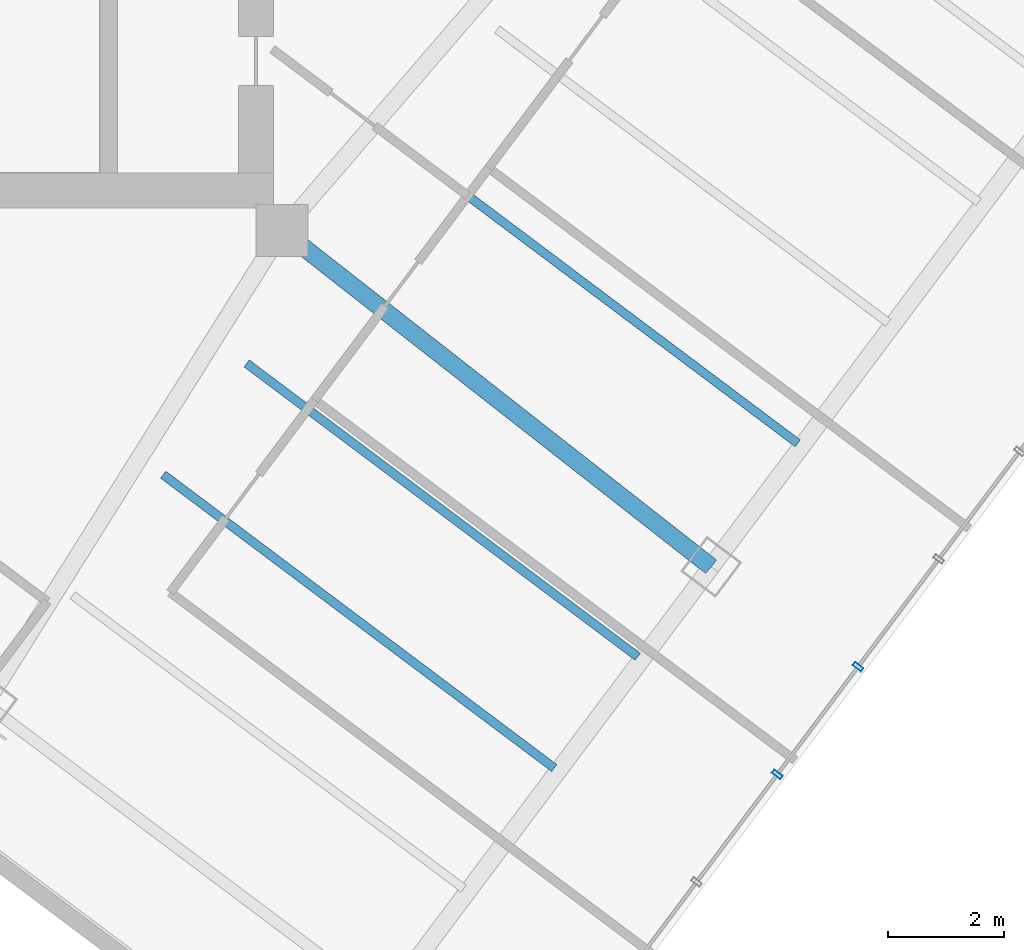
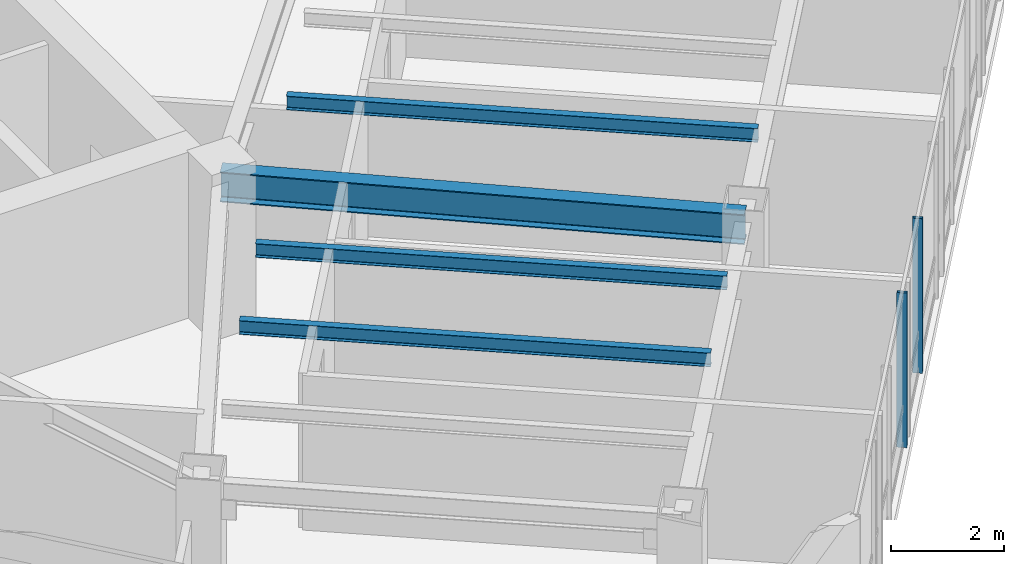
# One storey, part 11 of 27: 4 beams, 2 members, 1 element without a shape of its own.
"""IFC4 building model written with IfcOpenShell, lengths in metres."""

from ifc_helpers import new_model, si_unit, direction, frame, origin, origin_2d, place, context, subcontext, project, spatial, hollow_rectangle, i_section, extrude, material, layer, layer_set, material_profile, profile_set, type_object, element, aggregate, save


model = new_model("IFC4")

# Units and contexts
model_context = context("Model", 3, precision=1e-05, world=origin(), true_north=direction((0.0, 1.0)))
body_context = subcontext(model_context, "Body", "Model", "MODEL_VIEW")
ifc_project = project(units=[si_unit("LENGTHUNIT", "METRE"), si_unit("AREAUNIT", "SQUARE_METRE"), si_unit("VOLUMEUNIT", "CUBIC_METRE"), si_unit("PLANEANGLEUNIT", "RADIAN"), si_unit("MASSUNIT", "GRAM", prefix="KILO")], contexts=[model_context])

# Site, building, storey
site_placement = place(None, origin())
site = spatial("IfcSite", under=ifc_project, at=site_placement, CompositionType="ELEMENT")
building_placement = place(site_placement, origin())
building = spatial("IfcBuilding", under=site, at=building_placement, Name="Hatsunagi Terrace Concourse", CompositionType="ELEMENT")
storey_placement = place(building_placement, frame((0.0, 0.0, 163.64990234375)))
storey = spatial("IfcBuildingStorey", under=building, at=storey_placement, Name="L43", CompositionType="ELEMENT", Elevation=163.64990234375)

# Curtain wall, members
ifc_material_1 = material(Name="Anodised Aluminium Alloy 6063-T5", Category="aluminium")
ifc_layer = layer(ifc_material_1, 0.199951171875)
ifc_layer_set = layer_set([ifc_layer], Name="OfficeZone1_CW03")
curtain_wall_type = type_object("IfcCurtainWallType", Name="OfficeZone1_CW03", PredefinedType="NOTDEFINED", material=ifc_layer_set)
curtain_wall_placement = place(storey_placement, origin())
curtain_wall = element("IfcCurtainWall", 1, at=curtain_wall_placement, inside=storey, type_object=curtain_wall_type, Name="Unitised Curtain Wall CW-03 CW-L43-03", PredefinedType="NOTDEFINED")
ifc_material_2 = material(Name="Anodised Aluminium Alloy 6063-T5", Category="aluminium")
ifc_material_profile_1 = material_profile(ifc_material_2, hollow_rectangle(XDim=0.070068359375, YDim=0.179931640625, WallThickness=0.00390625, at=origin_2d()), Name="ALU-MUL-180x70x4")
ifc_profile_set_1 = profile_set([ifc_material_profile_1], Name="Anodised Aluminium Alloy 6063-T5")
member_type = type_object("IfcMemberType", Name="CurtainWallMullion_180x70", PredefinedType="MULLION", material=ifc_profile_set_1)
member_1_placement = place(storey_placement, frame((53.73193359375, 16.676025390625, 0.0), z_axis=(0.0, 0.0, 1.0), x_axis=(-0.599969314634, -0.800023013105, 0.0)))
member_1 = element("IfcMember", 2, at=member_1_placement, type_object=member_type, Name="Curtain Wall Mullion MUL-02", PredefinedType="MULLION", context=body_context, shape_type="SweptSolid", body=[
    extrude(hollow_rectangle(XDim=0.070068359375, YDim=0.179931640625, WallThickness=0.00390625, at=origin_2d()), origin(), (0.0, 0.0, 1.0), 3.35009765625),
])
member_2_placement = place(storey_placement, frame((52.340087890625, 14.819091796875, 0.0), z_axis=(0.0, 0.0, 1.0), x_axis=(-0.599969314634, -0.800023013105, 0.0)))
member_2 = element("IfcMember", 3, at=member_2_placement, type_object=member_type, Name="Curtain Wall Mullion MUL-02", PredefinedType="MULLION", context=body_context, shape_type="SweptSolid", body=[
    extrude(hollow_rectangle(XDim=0.070068359375, YDim=0.179931640625, WallThickness=0.00390625, at=origin_2d()), origin(), (0.0, 0.0, 1.0), 3.35009765625),
])
aggregate(curtain_wall, [member_1, member_2])

# Beams
ifc_material_3 = material(Name="Steel SN490B", Category="steel")
ifc_material_profile_2 = material_profile(ifc_material_3, i_section(OverallWidth=0.14990234375, OverallDepth=0.300048828125, WebThickness=0.006591796875, FlangeThickness=0.009033203125, FilletRadius=0.010986328125, at=origin_2d()), Name="H-300x150x6.5x9")
ifc_profile_set_2 = profile_set([ifc_material_profile_2], Name="Steel SN490B")
beam_type_1 = type_object("IfcBeamType", Name="OfficeJoist_H_300x150", PredefinedType="JOIST", material=ifc_profile_set_2)
for number, where, z_axis, x_axis, name in (
    (4, (41.748046875, 19.989013671875, 3.2001953125), (0.799989573921, -0.600013901187, 0.0), (0.600013901187, 0.799989573921, 0.0), "Beam J-03 J-L43-SE-2-72"),
    (5, (43.18798828125, 21.908935546875, 3.2001953125), (0.800003475366, -0.59999536615, 0.0), (0.59999536615, 0.800003475366, 0.0), "Beam J-03 J-L43-SE-2-96"),
    (6, (45.947998046875, 25.589111328125, 3.2001953125), (0.799989573921, -0.600013901187, 0.0), (0.600013901187, 0.799989573921, 0.0), "Beam J-03 J-L43-SE-2-142"),
):
    element("IfcBeam", number, at=place(storey_placement, frame(where, z_axis=z_axis, x_axis=x_axis)), inside=storey, type_object=beam_type_1, Name=name, PredefinedType="JOIST", context=body_context, shape_type="SweptSolid", body=[
        extrude(i_section(OverallWidth=0.14990234375, OverallDepth=0.300048828125, WebThickness=0.006591796875, FlangeThickness=0.009033203125, FilletRadius=0.010986328125, at=origin_2d()), origin(), (0.0, 0.0, 1.0), 8.429931640625),
    ])
ifc_material_4 = material(Name="Steel SN490B", Category="steel")
ifc_material_profile_3 = material_profile(ifc_material_4, i_section(OverallWidth=0.300048828125, OverallDepth=0.64990234375, WebThickness=0.012939453125, FlangeThickness=0.02197265625, FilletRadius=0.01806640625, at=origin_2d()), Name="H-650x300x13x22")
ifc_profile_set_3 = profile_set([ifc_material_profile_3], Name="Steel SN490B")
beam_type_2 = type_object("IfcBeamType", Name="OfficeLowGirder_H_650x300", PredefinedType="BEAM", material=ifc_profile_set_3)
beam_placement = place(storey_placement, frame((43.800048828125, 24.199951171875, 3.025146484375), z_axis=(0.787049441068, -0.616889923175, 0.0), x_axis=(0.616889923175, 0.787049441068, 0.0)))
element("IfcBeam", 7, at=beam_placement, inside=storey, type_object=beam_type_2, Name="Beam G-05 BM-L43-SE-M2", PredefinedType="BEAM", context=body_context, shape_type="SweptSolid", body=[
    extrude(i_section(OverallWidth=0.300048828125, OverallDepth=0.64990234375, WebThickness=0.012939453125, FlangeThickness=0.02197265625, FilletRadius=0.01806640625, at=origin_2d()), origin(), (0.0, 0.0, 1.0), 9.402099609375),
])

save(model, "model.ifc")
